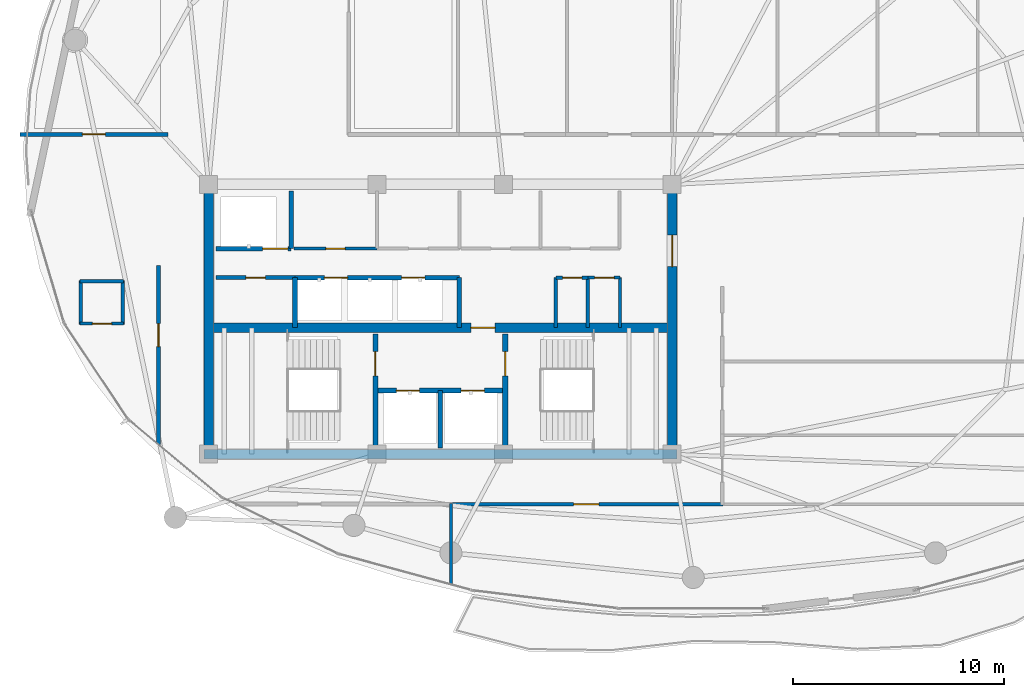
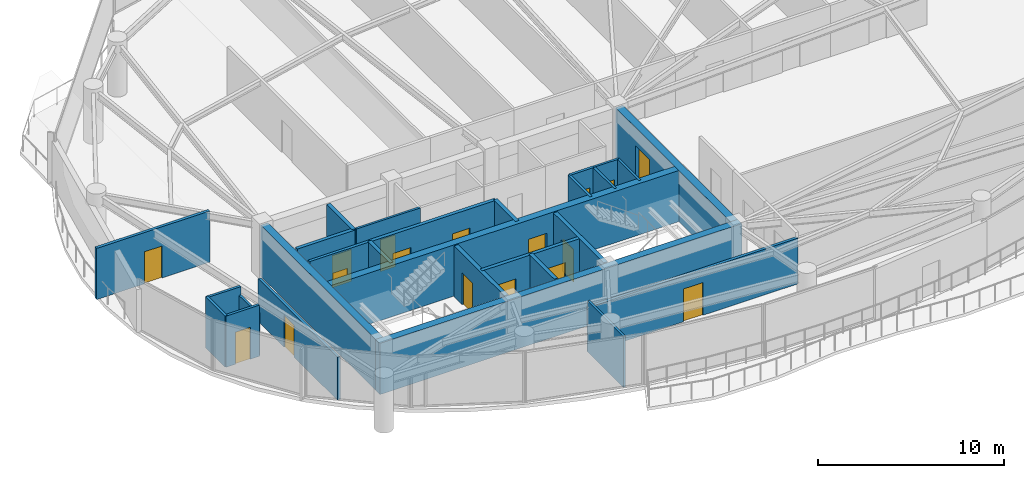
# One storey, part 23 of 28: 28 walls, 17 doors, 17 openings.
"""IFC4 building model written with IfcOpenShell, lengths in metres."""

from ifc_helpers import new_model, si_unit, direction, frame, frame_2d, origin, place, context, subcontext, project, spatial, rectangle, extrude, material, layer, layer_set, type_object, element, fill, save


model = new_model("IFC4")

# Units and contexts
model_context = context("Model", 3, precision=1e-05, world=origin(), true_north=direction((0.0, 1.0)))
body_context = subcontext(model_context, "Body", "Model", "MODEL_VIEW")
ifc_project = project(units=[si_unit("LENGTHUNIT", "METRE"), si_unit("AREAUNIT", "SQUARE_METRE"), si_unit("VOLUMEUNIT", "CUBIC_METRE"), si_unit("PLANEANGLEUNIT", "RADIAN"), si_unit("MASSUNIT", "GRAM", prefix="KILO")], contexts=[model_context])

# Site, building, storey
site_placement = place(None, origin())
site = spatial("IfcSite", under=ifc_project, at=site_placement, CompositionType="ELEMENT")
building_placement = place(site_placement, origin())
building = spatial("IfcBuilding", under=site, at=building_placement, Name="Kazevale Care Tower and Concert Hall", CompositionType="ELEMENT")
storey_placement = place(building_placement, frame((0.0, 0.0, 231.60009765625)))
storey = spatial("IfcBuildingStorey", under=building, at=storey_placement, Name="L61", CompositionType="ELEMENT", Elevation=231.60009765625)

# Wall, opening, door
ifc_material_1 = material(Name="Acoustic Gypsum on Steel Stud", Category="steel")
ifc_layer_1 = layer(ifc_material_1, 0.139892578125)
ifc_layer_set_1 = layer_set([ifc_layer_1], Name="Acoustic Gypsum on Steel Stud")
wall_type_1 = type_object("IfcWallType", Name="Acoustic Care & Suite Partition 140", PredefinedType="PARTITIONING", material=ifc_layer_set_1)
wall_1_placement = place(storey_placement, frame((26.050048828125, 33.35009765625, 0.0), z_axis=(0.0, 0.0, 1.0), x_axis=(1.0, 0.0, 0.0)))
wall_1 = element("IfcWall", 1, at=wall_1_placement, inside=storey, type_object=wall_type_1, Name="wall:L61:c_rpl1_s", PredefinedType="PARTITIONING", context=body_context, shape_type="SweptSolid", body=[
    extrude(rectangle(XDim=3.949951171875, YDim=0.139892578125, at=frame_2d((1.97509765625, 0.0))), origin(), (0.0, 0.0, 1.0), 3.35986328125),
])
opening_1_placement = place(wall_1_placement, frame((1.514892578125, 0.0, 0.0)))
opening_1 = element("IfcOpeningElement", 2, at=opening_1_placement, cuts=wall_1, Name="Opening ID-900", PredefinedType="OPENING", context=body_context, shape_type="SweptSolid", body=[
    extrude(rectangle(XDim=0.919921875, YDim=2.10009765625, at=frame_2d((0.4599609375, 1.050048828125))), frame((0.0, 0.079833984375, 0.0), z_axis=(0.0, -1.0, 0.0), x_axis=(1.0, 0.0, 0.0)), (0.0, 0.0, 1.0), 0.159912109375),
])
ifc_material_2 = material(Name="Oak Timber Fire Leaf", Category="wood")
door_type_1 = type_object("IfcDoorType", Name="Bathroom & Service Door 920x2100", OperationType="NOTDEFINED", PredefinedType="DOOR", material=ifc_material_2)
door_1_placement = place(opening_1_placement, origin())
door_1 = element("IfcDoor", 3, at=door_1_placement, inside=storey, type_object=door_type_1, Name="door:L61:d_rpl1", OperationType="SINGLE_SWING_LEFT", OverallHeight=2.10009765625, OverallWidth=0.919921875, PredefinedType="DOOR", context=body_context, shape_type="SweptSolid", body=[
    extrude(rectangle(XDim=0.919921875, YDim=2.10009765625, at=frame_2d((0.4599609375, 1.050048828125))), frame((0.0, 0.02490234375, 0.0), z_axis=(0.0, -1.0, 0.0), x_axis=(1.0, 0.0, 0.0)), (0.0, 0.0, 1.0), 0.050048828125),
])
fill(opening_1, door_1)

# Wall
wall_2_placement = place(storey_placement, frame((41.52001953125, 29.6201171875, 0.0), z_axis=(0.0, 0.0, 1.0), x_axis=(0.0, 1.0, 0.0)))
element("IfcWall", 4, at=wall_2_placement, inside=storey, type_object=wall_type_1, Name="wall:L61:ka_ee", PredefinedType="PARTITIONING", context=body_context, shape_type="SweptSolid", body=[
    extrude(rectangle(XDim=2.35986328125, YDim=0.139892578125, at=frame_2d((1.179931640625, 0.0))), origin(), (0.0, 0.0, 1.0), 3.35986328125),
])

# Wall, opening, door
wall_3_placement = place(storey_placement, frame((40.0, 31.97998046875, 0.0), z_axis=(0.0, 0.0, 1.0), x_axis=(1.0, 0.0, 0.0)))
wall_3 = element("IfcWall", 5, at=wall_3_placement, inside=storey, type_object=wall_type_1, Name="wall:L61:ka_en2", PredefinedType="PARTITIONING", context=body_context, shape_type="SweptSolid", body=[
    extrude(rectangle(XDim=1.52001953125, YDim=0.139892578125, at=frame_2d((0.760009765625, 0.0))), origin(), (0.0, 0.0, 1.0), 3.35986328125),
])
opening_2_placement = place(wall_3_placement, frame((0.320068359375, 0.0, 0.0)))
opening_2 = element("IfcOpeningElement", 6, at=opening_2_placement, cuts=wall_3, Name="Opening ID-900", PredefinedType="OPENING", context=body_context, shape_type="SweptSolid", body=[
    extrude(rectangle(XDim=0.919921875, YDim=2.10009765625, at=frame_2d((0.4599609375, 1.050048828125))), frame((0.0, 0.079833984375, 0.0), z_axis=(0.0, -1.0, 0.0), x_axis=(1.0, 0.0, 0.0)), (0.0, 0.0, 1.0), 0.159912109375),
])
door_2_placement = place(opening_2_placement, origin())
door_2 = element("IfcDoor", 7, at=door_2_placement, inside=storey, type_object=door_type_1, Name="door:L61:d_kae2", OperationType="SINGLE_SWING_RIGHT", OverallHeight=2.10009765625, OverallWidth=0.919921875, PredefinedType="DOOR", context=body_context, shape_type="SweptSolid", body=[
    extrude(rectangle(XDim=0.919921875, YDim=2.10009765625, at=frame_2d((0.4599609375, 1.050048828125))), frame((0.0, 0.02490234375, 0.0), z_axis=(0.0, -1.0, 0.0), x_axis=(1.0, 0.0, 0.0)), (0.0, 0.0, 1.0), 0.050048828125),
])
fill(opening_2, door_2)

# Walls
wall_4_placement = place(storey_placement, frame((33.5, 21.2548828125, 0.0), z_axis=(0.0, 0.0, 1.0), x_axis=(0.0, -1.0, 0.0)))
element("IfcWall", 8, at=wall_4_placement, inside=storey, type_object=wall_type_1, Name="wall:L61:auto_026", PredefinedType="PARTITIONING", context=body_context, shape_type="SweptSolid", body=[
    extrude(rectangle(XDim=3.8310546875, YDim=0.139892578125, at=frame_2d((1.91552734375, 0.0))), origin(), (0.0, 0.0, 1.0), 3.35986328125),
])
ifc_material_3 = material(Name="Concrete C50", Category="concrete")
ifc_layer_2 = layer(ifc_material_3, 0.449951171875)
ifc_layer_set_2 = layer_set([ifc_layer_2], Name="Concrete C50")
wall_type_2 = type_object("IfcWallType", Name="Core Shear Wall 450 C50", PredefinedType="SHEAR", material=ifc_layer_set_2)
wall_5_placement = place(storey_placement, frame((21.77490234375, 23.60009765625, 0.0), z_axis=(0.0, 0.0, 1.0), x_axis=(1.0, 0.0, 0.0)))
element("IfcWall", 9, at=wall_5_placement, inside=storey, type_object=wall_type_2, Name="wall:L61:core:S", PredefinedType="SHEAR", context=body_context, shape_type="SweptSolid", body=[
    extrude(rectangle(XDim=22.4501953125, YDim=0.449951171875, at=frame_2d((11.22509765625, 0.0))), origin(), (0.0, 0.0, 1.0), 3.35986328125),
])
wall_6_placement = place(storey_placement, frame((22.0, 23.824951171875, 0.0), z_axis=(0.0, 0.0, 1.0), x_axis=(0.0, 1.0, 0.0)))
element("IfcWall", 10, at=wall_6_placement, inside=storey, type_object=wall_type_2, Name="wall:L61:core:W", PredefinedType="SHEAR", context=body_context, shape_type="SweptSolid", body=[
    extrude(rectangle(XDim=12.35009765625, YDim=0.449951171875, at=frame_2d((6.175048828125, 0.0))), origin(), (0.0, 0.0, 1.0), 3.35986328125),
])

# Wall, opening, door
wall_7_placement = place(storey_placement, frame((44.0, 23.824951171875, 0.0), z_axis=(0.0, 0.0, 1.0), x_axis=(0.0, 1.0, 0.0)))
wall_7 = element("IfcWall", 11, at=wall_7_placement, inside=storey, type_object=wall_type_2, Name="wall:L61:core:E", PredefinedType="SHEAR", context=body_context, shape_type="SweptSolid", body=[
    extrude(rectangle(XDim=12.35009765625, YDim=0.449951171875, at=frame_2d((6.175048828125, 0.0))), origin(), (0.0, 0.0, 1.0), 3.35986328125),
])
opening_3_placement = place(wall_7_placement, frame((8.675048828125, 0.0, 0.0)))
opening_3 = element("IfcOpeningElement", 12, at=opening_3_placement, cuts=wall_7, Name="Opening FD-60D", PredefinedType="OPENING", context=body_context, shape_type="SweptSolid", body=[
    extrude(rectangle(XDim=1.5, YDim=2.14990234375, at=frame_2d((0.75, 1.074951171875))), frame((0.0, 0.23486328125, 0.0), z_axis=(0.0, -1.0, 0.0), x_axis=(1.0, 0.0, 0.0)), (0.0, 0.0, 1.0), 0.469970703125),
])
door_type_2 = type_object("IfcDoorType", Name="Double Lobby & Auditorium Fire Door 1500x2150", OperationType="NOTDEFINED", PredefinedType="DOOR", material=ifc_material_2)
door_3_placement = place(opening_3_placement, origin())
door_3 = element("IfcDoor", 13, at=door_3_placement, inside=storey, type_object=door_type_2, Name="door:L61:core_east_out", OperationType="DOUBLE_DOOR_SINGLE_SWING", OverallHeight=2.14990234375, OverallWidth=1.5, PredefinedType="DOOR", context=body_context, shape_type="SweptSolid", body=[
    extrude(rectangle(XDim=1.5, YDim=2.14990234375, at=frame_2d((0.75, 1.074951171875))), frame((0.0, 0.02490234375, 0.0), z_axis=(0.0, -1.0, 0.0), x_axis=(1.0, 0.0, 0.0)), (0.0, 0.0, 1.0), 0.050048828125),
])
fill(opening_3, door_3)

wall_8_placement = place(storey_placement, frame((22.22509765625, 29.60009765625, 0.0), z_axis=(0.0, 0.0, 1.0), x_axis=(1.0, 0.0, 0.0)))
wall_8 = element("IfcWall", 14, at=wall_8_placement, inside=storey, type_object=wall_type_2, Name="wall:L61:core:M", PredefinedType="SHEAR", context=body_context, shape_type="SweptSolid", body=[
    extrude(rectangle(XDim=21.5498046875, YDim=0.449951171875, at=frame_2d((10.77490234375, 0.0))), origin(), (0.0, 0.0, 1.0), 3.35986328125),
])
opening_4_placement = place(wall_8_placement, frame((12.22509765625, 0.0, 0.0)))
opening_4 = element("IfcOpeningElement", 15, at=opening_4_placement, cuts=wall_8, Name="Opening FD-90", PredefinedType="OPENING", context=body_context, shape_type="SweptSolid", body=[
    extrude(rectangle(XDim=1.14990234375, YDim=2.10009765625, at=frame_2d((0.574951171875, 1.050048828125))), frame((0.0, 0.23486328125, 0.0), z_axis=(0.0, -1.0, 0.0), x_axis=(1.0, 0.0, 0.0)), (0.0, 0.0, 1.0), 0.469970703125),
])
ifc_material_4 = material(Name="Steel ASTM A572 Gr 50", Category="steel")
door_type_3 = type_object("IfcDoorType", Name="Pressurized Stair & Lobby Fire Door 1150x2100", OperationType="NOTDEFINED", PredefinedType="DOOR", material=ifc_material_4)
door_4_placement = place(opening_4_placement, origin())
door_4 = element("IfcDoor", 16, at=door_4_placement, inside=storey, type_object=door_type_3, Name="door:L61:ff_to_pax", OperationType="SINGLE_SWING_LEFT", OverallHeight=2.10009765625, OverallWidth=1.14990234375, PredefinedType="DOOR", context=body_context, shape_type="SweptSolid", body=[
    extrude(rectangle(XDim=1.14990234375, YDim=2.10009765625, at=frame_2d((0.574951171875, 1.050048828125))), frame((0.0, 0.02490234375, 0.0), z_axis=(0.0, -1.0, 0.0), x_axis=(1.0, 0.0, 0.0)), (0.0, 0.0, 1.0), 0.050048828125),
])
fill(opening_4, door_4)

# Wall, openings, doors
ifc_material_5 = material(Name="Concrete C40", Category="concrete")
ifc_layer_3 = layer(ifc_material_5, 0.219970703125)
ifc_layer_set_3 = layer_set([ifc_layer_3], Name="Concrete C40")
wall_type_3 = type_object("IfcWallType", Name="Elevator Hoistway Shaft Wall 220", PredefinedType="SOLIDWALL", material=ifc_layer_set_3)
wall_9_placement = place(storey_placement, frame((29.919921875, 26.6201171875, 0.0), z_axis=(0.0, 0.0, 1.0), x_axis=(1.0, 0.0, 0.0)))
wall_9 = element("IfcWall", 17, at=wall_9_placement, inside=storey, type_object=wall_type_3, Name="wall:L61:c_ffl_n", PredefinedType="SOLIDWALL", context=body_context, shape_type="SweptSolid", body=[
    extrude(rectangle(XDim=6.16015625, YDim=0.219970703125, at=frame_2d((3.080078125, 0.0))), origin(), (0.0, 0.0, 1.0), 3.35986328125),
])
opening_5_placement = place(wall_9_placement, frame((0.989990234375, 0.0, 0.0)))
opening_5 = element("IfcOpeningElement", 18, at=opening_5_placement, cuts=wall_9, Name="Opening LD-FF", PredefinedType="OPENING", context=body_context, shape_type="SweptSolid", body=[
    extrude(rectangle(XDim=1.10009765625, YDim=2.10009765625, at=frame_2d((0.550048828125, 1.050048828125))), frame((0.0, 0.119873046875, 0.0), z_axis=(0.0, -1.0, 0.0), x_axis=(1.0, 0.0, 0.0)), (0.0, 0.0, 1.0), 0.239990234375),
])
opening_6_placement = place(wall_9_placement, frame((4.070068359375, 0.0, 0.0)))
opening_6 = element("IfcOpeningElement", 19, at=opening_6_placement, cuts=wall_9, Name="Opening LD-FF", PredefinedType="OPENING", context=body_context, shape_type="SweptSolid", body=[
    extrude(rectangle(XDim=1.10009765625, YDim=2.10009765625, at=frame_2d((0.550048828125, 1.050048828125))), frame((0.0, 0.119873046875, 0.0), z_axis=(0.0, -1.0, 0.0), x_axis=(1.0, 0.0, 0.0)), (0.0, 0.0, 1.0), 0.239990234375),
])
ifc_material_6 = material(Name="Stainless Steel 316", Category="steel")
door_type_4 = type_object("IfcDoorType", Name="Emergency Lift Sliding Landing Door 1100x2100", OperationType="NOTDEFINED", PredefinedType="DOOR", material=ifc_material_6)
door_5_placement = place(opening_5_placement, origin())
door_5 = element("IfcDoor", 20, at=door_5_placement, inside=storey, type_object=door_type_4, Name="door:L61:ld_ffl1", OperationType="SLIDING_TO_LEFT", OverallHeight=2.10009765625, OverallWidth=1.10009765625, PredefinedType="DOOR", context=body_context, shape_type="SweptSolid", body=[
    extrude(rectangle(XDim=1.10009765625, YDim=2.10009765625, at=frame_2d((0.550048828125, 1.050048828125))), frame((0.0, 0.02490234375, 0.0), z_axis=(0.0, -1.0, 0.0), x_axis=(1.0, 0.0, 0.0)), (0.0, 0.0, 1.0), 0.050048828125),
])
fill(opening_5, door_5)
door_6_placement = place(opening_6_placement, origin())
door_6 = element("IfcDoor", 21, at=door_6_placement, inside=storey, type_object=door_type_4, Name="door:L61:ld_ffl2", OperationType="SLIDING_TO_RIGHT", OverallHeight=2.10009765625, OverallWidth=1.10009765625, PredefinedType="DOOR", context=body_context, shape_type="SweptSolid", body=[
    extrude(rectangle(XDim=1.10009765625, YDim=2.10009765625, at=frame_2d((0.550048828125, 1.050048828125))), frame((0.0, 0.02490234375, 0.0), z_axis=(0.0, -1.0, 0.0), x_axis=(1.0, 0.0, 0.0)), (0.0, 0.0, 1.0), 0.050048828125),
])
fill(opening_6, door_6)

# Walls
wall_10_placement = place(storey_placement, frame((33.0, 23.89990234375, 0.0), z_axis=(0.0, 0.0, 1.0), x_axis=(0.0, 1.0, 0.0)))
element("IfcWall", 22, at=wall_10_placement, inside=storey, type_object=wall_type_3, Name="wall:L61:c_ffl_m", PredefinedType="SOLIDWALL", context=body_context, shape_type="SweptSolid", body=[
    extrude(rectangle(XDim=2.72021484375, YDim=0.219970703125, at=frame_2d((1.360107421875, 0.0))), origin(), (0.0, 0.0, 1.0), 3.35986328125),
])
wall_11_placement = place(storey_placement, frame((25.919921875, 33.35009765625, 0.0), z_axis=(0.0, 0.0, 1.0), x_axis=(0.0, 1.0, 0.0)))
element("IfcWall", 23, at=wall_11_placement, inside=storey, type_object=wall_type_3, Name="wall:L61:c_svl_e", PredefinedType="SOLIDWALL", context=body_context, shape_type="SweptSolid", body=[
    extrude(rectangle(XDim=2.72998046875, YDim=0.219970703125, at=frame_2d((1.364990234375, 0.0))), origin(), (0.0, 0.0, 1.0), 3.35986328125),
])

# Wall, opening, door
wall_12_placement = place(storey_placement, frame((22.35009765625, 33.35009765625, 0.0), z_axis=(0.0, 0.0, 1.0), x_axis=(1.0, 0.0, 0.0)))
wall_12 = element("IfcWall", 24, at=wall_12_placement, inside=storey, type_object=wall_type_3, Name="wall:L61:c_svl_s", PredefinedType="SOLIDWALL", context=body_context, shape_type="SweptSolid", body=[
    extrude(rectangle(XDim=3.56982421875, YDim=0.219970703125, at=frame_2d((1.784912109375, 0.0))), origin(), (0.0, 0.0, 1.0), 3.35986328125),
])
opening_7_placement = place(wall_12_placement, frame((2.212890625, 0.0, 0.0)))
opening_7 = element("IfcOpeningElement", 25, at=opening_7_placement, cuts=wall_12, Name="Opening LD-SV", PredefinedType="OPENING", context=body_context, shape_type="SweptSolid", body=[
    extrude(rectangle(XDim=1.199951171875, YDim=2.10009765625, at=frame_2d((0.60009765625, 1.050048828125))), frame((0.0, 0.119873046875, 0.0), z_axis=(0.0, -1.0, 0.0), x_axis=(1.0, 0.0, 0.0)), (0.0, 0.0, 1.0), 0.239990234375),
])
door_type_5 = type_object("IfcDoorType", Name="Service Lift Sliding Landing Door 1200x2100", OperationType="NOTDEFINED", PredefinedType="DOOR", material=ifc_material_6)
door_7_placement = place(opening_7_placement, origin())
door_7 = element("IfcDoor", 26, at=door_7_placement, inside=storey, type_object=door_type_5, Name="door:L61:ld_svl1", OperationType="SLIDING_TO_LEFT", OverallHeight=2.10009765625, OverallWidth=1.199951171875, PredefinedType="DOOR", context=body_context, shape_type="SweptSolid", body=[
    extrude(rectangle(XDim=1.199951171875, YDim=2.10009765625, at=frame_2d((0.60009765625, 1.050048828125))), frame((0.0, 0.02490234375, 0.0), z_axis=(0.0, -1.0, 0.0), x_axis=(1.0, 0.0, 0.0)), (0.0, 0.0, 1.0), 0.050048828125),
])
fill(opening_7, door_7)

# Wall
wall_13_placement = place(storey_placement, frame((26.10009765625, 29.6201171875, 0.0), z_axis=(0.0, 0.0, 1.0), x_axis=(0.0, 1.0, 0.0)))
element("IfcWall", 27, at=wall_13_placement, inside=storey, type_object=wall_type_3, Name="wall:L61:c_ph_w", PredefinedType="SOLIDWALL", context=body_context, shape_type="SweptSolid", body=[
    extrude(rectangle(XDim=2.35986328125, YDim=0.219970703125, at=frame_2d((1.179931640625, 0.0))), origin(), (0.0, 0.0, 1.0), 3.35986328125),
])

# Wall, openings, doors
wall_14_placement = place(storey_placement, frame((26.10009765625, 31.97998046875, 0.0), z_axis=(0.0, 0.0, 1.0), x_axis=(1.0, 0.0, 0.0)))
wall_14 = element("IfcWall", 28, at=wall_14_placement, inside=storey, type_object=wall_type_3, Name="wall:L61:c_ph_n", PredefinedType="SOLIDWALL", context=body_context, shape_type="SweptSolid", body=[
    extrude(rectangle(XDim=7.7998046875, YDim=0.219970703125, at=frame_2d((3.89990234375, 0.0))), origin(), (0.0, 0.0, 1.0), 3.35986328125),
])
opening_8_placement = place(wall_14_placement, frame((1.39990234375, 0.0, 0.0)))
opening_8 = element("IfcOpeningElement", 29, at=opening_8_placement, cuts=wall_14, Name="Opening LD-PAX", PredefinedType="OPENING", context=body_context, shape_type="SweptSolid", body=[
    extrude(rectangle(XDim=1.10009765625, YDim=2.10009765625, at=frame_2d((0.550048828125, 1.050048828125))), frame((0.0, 0.119873046875, 0.0), z_axis=(0.0, -1.0, 0.0), x_axis=(1.0, 0.0, 0.0)), (0.0, 0.0, 1.0), 0.239990234375),
])
opening_9_placement = place(wall_14_placement, frame((5.06591796875, 0.0, 0.0)))
opening_9 = element("IfcOpeningElement", 30, at=opening_9_placement, cuts=wall_14, Name="Opening LD-PAX", PredefinedType="OPENING", context=body_context, shape_type="SweptSolid", body=[
    extrude(rectangle(XDim=1.10009765625, YDim=2.10009765625, at=frame_2d((0.550048828125, 1.050048828125))), frame((0.0, 0.119873046875, 0.0), z_axis=(0.0, -1.0, 0.0), x_axis=(1.0, 0.0, 0.0)), (0.0, 0.0, 1.0), 0.239990234375),
])
door_type_6 = type_object("IfcDoorType", Name="Passenger Lift Sliding Landing Door 1100x2100", OperationType="NOTDEFINED", PredefinedType="DOOR", material=ifc_material_6)
door_8_placement = place(opening_8_placement, origin())
door_8 = element("IfcDoor", 31, at=door_8_placement, inside=storey, type_object=door_type_6, Name="door:L61:ld_ph1", OperationType="SLIDING_TO_LEFT", OverallHeight=2.10009765625, OverallWidth=1.10009765625, PredefinedType="DOOR", context=body_context, shape_type="SweptSolid", body=[
    extrude(rectangle(XDim=1.10009765625, YDim=2.10009765625, at=frame_2d((0.550048828125, 1.050048828125))), frame((0.0, 0.02490234375, 0.0), z_axis=(0.0, -1.0, 0.0), x_axis=(1.0, 0.0, 0.0)), (0.0, 0.0, 1.0), 0.050048828125),
])
fill(opening_8, door_8)
door_9_placement = place(opening_9_placement, origin())
door_9 = element("IfcDoor", 32, at=door_9_placement, inside=storey, type_object=door_type_6, Name="door:L61:ld_ph2", OperationType="SLIDING_TO_RIGHT", OverallHeight=2.10009765625, OverallWidth=1.10009765625, PredefinedType="DOOR", context=body_context, shape_type="SweptSolid", body=[
    extrude(rectangle(XDim=1.10009765625, YDim=2.10009765625, at=frame_2d((0.550048828125, 1.050048828125))), frame((0.0, 0.02490234375, 0.0), z_axis=(0.0, -1.0, 0.0), x_axis=(1.0, 0.0, 0.0)), (0.0, 0.0, 1.0), 0.050048828125),
])
fill(opening_9, door_9)

# Wall
wall_15_placement = place(storey_placement, frame((33.89990234375, 29.6201171875, 0.0), z_axis=(0.0, 0.0, 1.0), x_axis=(0.0, 1.0, 0.0)))
element("IfcWall", 33, at=wall_15_placement, inside=storey, type_object=wall_type_3, Name="wall:L61:c_ph_e", PredefinedType="SOLIDWALL", context=body_context, shape_type="SweptSolid", body=[
    extrude(rectangle(XDim=2.35986328125, YDim=0.219970703125, at=frame_2d((1.179931640625, 0.0))), origin(), (0.0, 0.0, 1.0), 3.35986328125),
])

# Wall, opening, door
ifc_material_7 = material(Name="Concrete C40 and Acoustic Gypsum", Category="concrete")
ifc_layer_4 = layer(ifc_material_7, 0.179931640625)
ifc_layer_set_4 = layer_set([ifc_layer_4], Name="Concrete C40 and Acoustic Gypsum")
wall_type_4 = type_object("IfcWallType", Name="Fire-Rated Corridor & Party Wall 180", PredefinedType="PARTITIONING", material=ifc_layer_set_4)
wall_16_placement = place(storey_placement, frame((22.35009765625, 31.97998046875, 0.0), z_axis=(0.0, 0.0, 1.0), x_axis=(1.0, 0.0, 0.0)))
wall_16 = element("IfcWall", 34, at=wall_16_placement, inside=storey, type_object=wall_type_4, Name="wall:L61:ka_wn1", PredefinedType="PARTITIONING", context=body_context, shape_type="SweptSolid", body=[
    extrude(rectangle(XDim=3.75, YDim=0.179931640625, at=frame_2d((1.875, 0.0))), origin(), (0.0, 0.0, 1.0), 3.35986328125),
])
opening_10_placement = place(wall_16_placement, frame((1.425048828125, 0.0, 0.0)))
opening_10 = element("IfcOpeningElement", 35, at=opening_10_placement, cuts=wall_16, Name="Opening ID-900", PredefinedType="OPENING", context=body_context, shape_type="SweptSolid", body=[
    extrude(rectangle(XDim=0.919921875, YDim=2.10009765625, at=frame_2d((0.4599609375, 1.050048828125))), frame((0.0, 0.099853515625, 0.0), z_axis=(0.0, -1.0, 0.0), x_axis=(1.0, 0.0, 0.0)), (0.0, 0.0, 1.0), 0.199951171875),
])
door_10_placement = place(opening_10_placement, origin())
door_10 = element("IfcDoor", 36, at=door_10_placement, inside=storey, type_object=door_type_1, Name="door:L61:d_kaw", OperationType="SINGLE_SWING_LEFT", OverallHeight=2.10009765625, OverallWidth=0.919921875, PredefinedType="DOOR", context=body_context, shape_type="SweptSolid", body=[
    extrude(rectangle(XDim=0.919921875, YDim=2.10009765625, at=frame_2d((0.4599609375, 1.050048828125))), frame((0.0, 0.02490234375, 0.0), z_axis=(0.0, -1.0, 0.0), x_axis=(1.0, 0.0, 0.0)), (0.0, 0.0, 1.0), 0.050048828125),
])
fill(opening_10, door_10)

wall_17_placement = place(storey_placement, frame((13.053955078125, 38.77490234375, 0.0), z_axis=(0.0, 0.0, 1.0), x_axis=(1.0, 0.0, 0.0)))
wall_17 = element("IfcWall", 37, at=wall_17_placement, inside=storey, type_object=wall_type_4, Name="wall:L61:auto_001", PredefinedType="PARTITIONING", context=body_context, shape_type="SweptSolid", body=[
    extrude(rectangle(XDim=7.010986328125, YDim=0.179931640625, at=frame_2d((3.50537109375, 0.0))), origin(), (0.0, 0.0, 1.0), 3.35986328125),
])
opening_11_placement = place(wall_17_placement, frame((2.955078125, 0.0, 0.0)))
opening_11 = element("IfcOpeningElement", 38, at=opening_11_placement, cuts=wall_17, Name="Opening ID-1100", PredefinedType="OPENING", context=body_context, shape_type="SweptSolid", body=[
    extrude(rectangle(XDim=1.10009765625, YDim=2.10009765625, at=frame_2d((0.550048828125, 1.050048828125))), frame((0.0, 0.099853515625, 0.0), z_axis=(0.0, -1.0, 0.0), x_axis=(1.0, 0.0, 0.0)), (0.0, 0.0, 1.0), 0.199951171875),
])
door_type_7 = type_object("IfcDoorType", Name="Care Bedroom Accessible Door 1100x2100", OperationType="NOTDEFINED", PredefinedType="DOOR", material=ifc_material_2)
door_11_placement = place(opening_11_placement, origin())
door_11 = element("IfcDoor", 39, at=door_11_placement, inside=storey, type_object=door_type_7, Name="door:L61:ad_001", OperationType="SINGLE_SWING_LEFT", OverallHeight=2.10009765625, OverallWidth=1.10009765625, PredefinedType="DOOR", context=body_context, shape_type="SweptSolid", body=[
    extrude(rectangle(XDim=1.10009765625, YDim=2.10009765625, at=frame_2d((0.550048828125, 1.050048828125))), frame((0.0, 0.02490234375, 0.0), z_axis=(0.0, -1.0, 0.0), x_axis=(1.0, 0.0, 0.0)), (0.0, 0.0, 1.0), 0.050048828125),
])
fill(opening_11, door_11)

wall_18_placement = place(storey_placement, frame((46.405029296875, 21.22509765625, 0.0), z_axis=(0.0, 0.0, 1.0), x_axis=(-1.0, 0.0, 0.0)))
wall_18 = element("IfcWall", 40, at=wall_18_placement, inside=storey, type_object=wall_type_4, Name="wall:L61:auto_014", PredefinedType="PARTITIONING", context=body_context, shape_type="SweptSolid", body=[
    extrude(rectangle(XDim=12.969970703125, YDim=0.179931640625, at=frame_2d((6.48486328125, 0.0))), origin(), (0.0, 0.0, 1.0), 2.995849609375),
])
opening_12_placement = place(wall_18_placement, frame((5.885009765625, 0.0, 0.0)))
opening_12 = element("IfcOpeningElement", 41, at=opening_12_placement, cuts=wall_18, Name="Opening ID-1200", PredefinedType="OPENING", context=body_context, shape_type="SweptSolid", body=[
    extrude(rectangle(XDim=1.199951171875, YDim=2.14990234375, at=frame_2d((0.60009765625, 1.074951171875))), frame((0.0, 0.099853515625, 0.0), z_axis=(0.0, -1.0, 0.0), x_axis=(1.0, 0.0, 0.0)), (0.0, 0.0, 1.0), 0.199951171875),
])
door_type_8 = type_object("IfcDoorType", Name="Clinical & Therapy Door 1200x2150", OperationType="NOTDEFINED", PredefinedType="DOOR", material=ifc_material_2)
door_12_placement = place(opening_12_placement, origin())
door_12 = element("IfcDoor", 42, at=door_12_placement, inside=storey, type_object=door_type_8, Name="door:L61:ad_014", OperationType="SINGLE_SWING_LEFT", OverallHeight=2.14990234375, OverallWidth=1.199951171875, PredefinedType="DOOR", context=body_context, shape_type="SweptSolid", body=[
    extrude(rectangle(XDim=1.199951171875, YDim=2.14990234375, at=frame_2d((0.60009765625, 1.074951171875))), frame((0.0, 0.02490234375, 0.0), z_axis=(0.0, -1.0, 0.0), x_axis=(1.0, 0.0, 0.0)), (0.0, 0.0, 1.0), 0.050048828125),
])
fill(opening_12, door_12)

wall_19_placement = place(storey_placement, frame((19.625, 24.059814453125, 0.0), z_axis=(0.0, 0.0, 1.0), x_axis=(0.0, 1.0, 0.0)))
wall_19 = element("IfcWall", 43, at=wall_19_placement, inside=storey, type_object=wall_type_4, Name="wall:L61:auto_015", PredefinedType="PARTITIONING", context=body_context, shape_type="SweptSolid", body=[
    extrude(rectangle(XDim=8.505126953125, YDim=0.179931640625, at=frame_2d((4.25244140625, 0.0))), origin(), (0.0, 0.0, 1.0), 2.81689453125),
])
opening_13_placement = place(wall_19_placement, frame((4.639892578125, 0.0, 0.0)))
opening_13 = element("IfcOpeningElement", 44, at=opening_13_placement, cuts=wall_19, Name="Opening ID-1100", PredefinedType="OPENING", context=body_context, shape_type="SweptSolid", body=[
    extrude(rectangle(XDim=1.10009765625, YDim=2.10009765625, at=frame_2d((0.550048828125, 1.050048828125))), frame((0.0, 0.099853515625, 0.0), z_axis=(0.0, -1.0, 0.0), x_axis=(1.0, 0.0, 0.0)), (0.0, 0.0, 1.0), 0.199951171875),
])
door_13_placement = place(opening_13_placement, origin())
door_13 = element("IfcDoor", 45, at=door_13_placement, inside=storey, type_object=door_type_7, Name="door:L61:ad_015", OperationType="SINGLE_SWING_LEFT", OverallHeight=2.10009765625, OverallWidth=1.10009765625, PredefinedType="DOOR", context=body_context, shape_type="SweptSolid", body=[
    extrude(rectangle(XDim=1.10009765625, YDim=2.10009765625, at=frame_2d((0.550048828125, 1.050048828125))), frame((0.0, 0.02490234375, 0.0), z_axis=(0.0, -1.0, 0.0), x_axis=(1.0, 0.0, 0.0)), (0.0, 0.0, 1.0), 0.050048828125),
])
fill(opening_13, door_13)

# Walls
ifc_layer_5 = layer(ifc_material_1, 0.159912109375)
ifc_layer_set_5 = layer_set([ifc_layer_5], Name="Acoustic Gypsum on Steel Stud")
wall_type_5 = type_object("IfcWallType", Name="Moisture-Resistant Bathroom Plumbing Wall 160", PredefinedType="PLUMBINGWALL", material=ifc_layer_set_5)
for number, where, z_axis, x_axis, name in (
    (46, (38.47998046875, 29.6201171875, 0.0), (0.0, 0.0, 1.0), (0.0, 1.0, 0.0), "wall:L61:ka_ew"),
    (47, (40.0, 29.6201171875, 0.0), (0.0, 0.0, 1.0), (0.0, 1.0, 0.0), "wall:L61:ka_em"),
):
    element("IfcWall", number, at=place(storey_placement, frame(where, z_axis=z_axis, x_axis=x_axis)), inside=storey, type_object=wall_type_5, Name=name, PredefinedType="PLUMBINGWALL", context=body_context, shape_type="SweptSolid", body=[
        extrude(rectangle(XDim=2.35986328125, YDim=0.159912109375, at=frame_2d((1.179931640625, 0.0))), origin(), (0.0, 0.0, 1.0), 3.35986328125),
    ])

# Wall, opening, door
wall_20_placement = place(storey_placement, frame((38.47998046875, 31.97998046875, 0.0), z_axis=(0.0, 0.0, 1.0), x_axis=(1.0, 0.0, 0.0)))
wall_20 = element("IfcWall", 48, at=wall_20_placement, inside=storey, type_object=wall_type_5, Name="wall:L61:ka_en1", PredefinedType="PLUMBINGWALL", context=body_context, shape_type="SweptSolid", body=[
    extrude(rectangle(XDim=1.52001953125, YDim=0.159912109375, at=frame_2d((0.760009765625, 0.0))), origin(), (0.0, 0.0, 1.0), 3.35986328125),
])
opening_14_placement = place(wall_20_placement, frame((0.320068359375, 0.0, 0.0)))
opening_14 = element("IfcOpeningElement", 49, at=opening_14_placement, cuts=wall_20, Name="Opening ID-900", PredefinedType="OPENING", context=body_context, shape_type="SweptSolid", body=[
    extrude(rectangle(XDim=0.919921875, YDim=2.10009765625, at=frame_2d((0.4599609375, 1.050048828125))), frame((0.0, 0.08984375, 0.0), z_axis=(0.0, -1.0, 0.0), x_axis=(1.0, 0.0, 0.0)), (0.0, 0.0, 1.0), 0.179931640625),
])
door_14_placement = place(opening_14_placement, origin())
door_14 = element("IfcDoor", 50, at=door_14_placement, inside=storey, type_object=door_type_1, Name="door:L61:d_kae1", OperationType="SINGLE_SWING_LEFT", OverallHeight=2.10009765625, OverallWidth=0.919921875, PredefinedType="DOOR", context=body_context, shape_type="SweptSolid", body=[
    extrude(rectangle(XDim=0.919921875, YDim=2.10009765625, at=frame_2d((0.4599609375, 1.050048828125))), frame((0.0, 0.02490234375, 0.0), z_axis=(0.0, -1.0, 0.0), x_axis=(1.0, 0.0, 0.0)), (0.0, 0.0, 1.0), 0.050048828125),
])
fill(opening_14, door_14)

wall_21_placement = place(storey_placement, frame((15.89306640625, 29.800048828125, 0.0), z_axis=(0.0, 0.0, 1.0), x_axis=(1.0, 0.0, 0.0)))
wall_21 = element("IfcWall", 51, at=wall_21_placement, inside=storey, type_object=wall_type_5, Name="wall:L61:wb2_ens_ws", PredefinedType="PLUMBINGWALL", context=body_context, shape_type="SweptSolid", body=[
    extrude(rectangle(XDim=2.079833984375, YDim=0.159912109375, at=frame_2d((1.0400390625, 0.0))), origin(), (0.0, 0.0, 1.0), 3.35986328125),
])
opening_15_placement = place(wall_21_placement, frame((0.590087890625, 0.0, 0.0)))
opening_15 = element("IfcOpeningElement", 52, at=opening_15_placement, cuts=wall_21, Name="Opening ID-900", PredefinedType="OPENING", context=body_context, shape_type="SweptSolid", body=[
    extrude(rectangle(XDim=0.919921875, YDim=2.10009765625, at=frame_2d((0.4599609375, 1.050048828125))), frame((0.0, 0.08984375, 0.0), z_axis=(0.0, -1.0, 0.0), x_axis=(1.0, 0.0, 0.0)), (0.0, 0.0, 1.0), 0.179931640625),
])
door_15_placement = place(opening_15_placement, origin())
door_15 = element("IfcDoor", 53, at=door_15_placement, inside=storey, type_object=door_type_1, Name="door:L61:wb2_ens_d", OperationType="SINGLE_SWING_RIGHT", OverallHeight=2.10009765625, OverallWidth=0.919921875, PredefinedType="DOOR", context=body_context, shape_type="SweptSolid", body=[
    extrude(rectangle(XDim=0.919921875, YDim=2.10009765625, at=frame_2d((0.4599609375, 1.050048828125))), frame((0.0, 0.02490234375, 0.0), z_axis=(0.0, -1.0, 0.0), x_axis=(1.0, 0.0, 0.0)), (0.0, 0.0, 1.0), 0.050048828125),
])
fill(opening_15, door_15)

# Walls
wall_22_placement = place(storey_placement, frame((15.89306640625, 31.800048828125, 0.0), z_axis=(0.0, 0.0, 1.0), x_axis=(1.0, 0.0, 0.0)))
element("IfcWall", 54, at=wall_22_placement, inside=storey, type_object=wall_type_5, Name="wall:L61:wb2_ens_wn", PredefinedType="PLUMBINGWALL", context=body_context, shape_type="SweptSolid", body=[
    extrude(rectangle(XDim=2.079833984375, YDim=0.159912109375, at=frame_2d((1.0400390625, 0.0))), origin(), (0.0, 0.0, 1.0), 3.35986328125),
])
wall_23_placement = place(storey_placement, frame((15.93310546875, 29.760009765625, 0.0), z_axis=(0.0, 0.0, 1.0), x_axis=(0.0, 1.0, 0.0)))
element("IfcWall", 55, at=wall_23_placement, inside=storey, type_object=wall_type_5, Name="wall:L61:wb2_ens_ww", PredefinedType="PLUMBINGWALL", context=body_context, shape_type="SweptSolid", body=[
    extrude(rectangle(XDim=2.080078125, YDim=0.159912109375, at=frame_2d((1.0400390625, 0.0))), origin(), (0.0, 0.0, 1.0), 3.35986328125),
])
wall_24_placement = place(storey_placement, frame((17.93310546875, 29.760009765625, 0.0), z_axis=(0.0, 0.0, 1.0), x_axis=(0.0, 1.0, 0.0)))
element("IfcWall", 56, at=wall_24_placement, inside=storey, type_object=wall_type_5, Name="wall:L61:wb2_ens_we", PredefinedType="PLUMBINGWALL", context=body_context, shape_type="SweptSolid", body=[
    extrude(rectangle(XDim=2.080078125, YDim=0.159912109375, at=frame_2d((1.0400390625, 0.0))), origin(), (0.0, 0.0, 1.0), 2.81689453125),
])

# Wall, opening, door
ifc_layer_6 = layer(ifc_material_5, 0.25)
ifc_layer_set_6 = layer_set([ifc_layer_6], Name="Concrete C40")
wall_type_6 = type_object("IfcWallType", Name="Pressurized Stair Shaft Wall 250", PredefinedType="SOLIDWALL", material=ifc_layer_set_6)
wall_25_placement = place(storey_placement, frame((29.919921875, 23.89990234375, 0.0), z_axis=(0.0, 0.0, 1.0), x_axis=(0.0, 1.0, 0.0)))
wall_25 = element("IfcWall", 57, at=wall_25_placement, inside=storey, type_object=wall_type_6, Name="wall:L61:c_st1_e", PredefinedType="SOLIDWALL", context=body_context, shape_type="SweptSolid", body=[
    extrude(rectangle(XDim=5.400146484375, YDim=0.25, at=frame_2d((2.7001953125, 0.0))), origin(), (0.0, 0.0, 1.0), 3.35986328125),
])
opening_16_placement = place(wall_25_placement, frame((3.4208984375, 0.0, 0.0)))
opening_16 = element("IfcOpeningElement", 58, at=opening_16_placement, cuts=wall_25, Name="Opening FD-90", PredefinedType="OPENING", context=body_context, shape_type="SweptSolid", body=[
    extrude(rectangle(XDim=1.14990234375, YDim=2.10009765625, at=frame_2d((0.574951171875, 1.050048828125))), frame((0.0, 0.135009765625, 0.0), z_axis=(0.0, -1.0, 0.0), x_axis=(1.0, 0.0, 0.0)), (0.0, 0.0, 1.0), 0.27001953125),
])
door_16_placement = place(opening_16_placement, origin())
door_16 = element("IfcDoor", 59, at=door_16_placement, inside=storey, type_object=door_type_3, Name="door:L61:st1", OperationType="SINGLE_SWING_RIGHT", OverallHeight=2.10009765625, OverallWidth=1.14990234375, PredefinedType="DOOR", context=body_context, shape_type="SweptSolid", body=[
    extrude(rectangle(XDim=1.14990234375, YDim=2.10009765625, at=frame_2d((0.574951171875, 1.050048828125))), frame((0.0, 0.02490234375, 0.0), z_axis=(0.0, -1.0, 0.0), x_axis=(1.0, 0.0, 0.0)), (0.0, 0.0, 1.0), 0.050048828125),
])
fill(opening_16, door_16)

wall_26_placement = place(storey_placement, frame((36.080078125, 23.89990234375, 0.0), z_axis=(0.0, 0.0, 1.0), x_axis=(0.0, 1.0, 0.0)))
wall_26 = element("IfcWall", 60, at=wall_26_placement, inside=storey, type_object=wall_type_6, Name="wall:L61:c_st2_w", PredefinedType="SOLIDWALL", context=body_context, shape_type="SweptSolid", body=[
    extrude(rectangle(XDim=5.400146484375, YDim=0.25, at=frame_2d((2.7001953125, 0.0))), origin(), (0.0, 0.0, 1.0), 3.35986328125),
])
opening_17_placement = place(wall_26_placement, frame((3.4208984375, 0.0, 0.0)))
opening_17 = element("IfcOpeningElement", 61, at=opening_17_placement, cuts=wall_26, Name="Opening FD-90", PredefinedType="OPENING", context=body_context, shape_type="SweptSolid", body=[
    extrude(rectangle(XDim=1.14990234375, YDim=2.10009765625, at=frame_2d((0.574951171875, 1.050048828125))), frame((0.0, 0.135009765625, 0.0), z_axis=(0.0, -1.0, 0.0), x_axis=(1.0, 0.0, 0.0)), (0.0, 0.0, 1.0), 0.27001953125),
])
door_17_placement = place(opening_17_placement, origin())
door_17 = element("IfcDoor", 62, at=door_17_placement, inside=storey, type_object=door_type_3, Name="door:L61:st2", OperationType="SINGLE_SWING_LEFT", OverallHeight=2.10009765625, OverallWidth=1.14990234375, PredefinedType="DOOR", context=body_context, shape_type="SweptSolid", body=[
    extrude(rectangle(XDim=1.14990234375, YDim=2.10009765625, at=frame_2d((0.574951171875, 1.050048828125))), frame((0.0, 0.02490234375, 0.0), z_axis=(0.0, -1.0, 0.0), x_axis=(1.0, 0.0, 0.0)), (0.0, 0.0, 1.0), 0.050048828125),
])
fill(opening_17, door_17)

save(model, "model.ifc")
